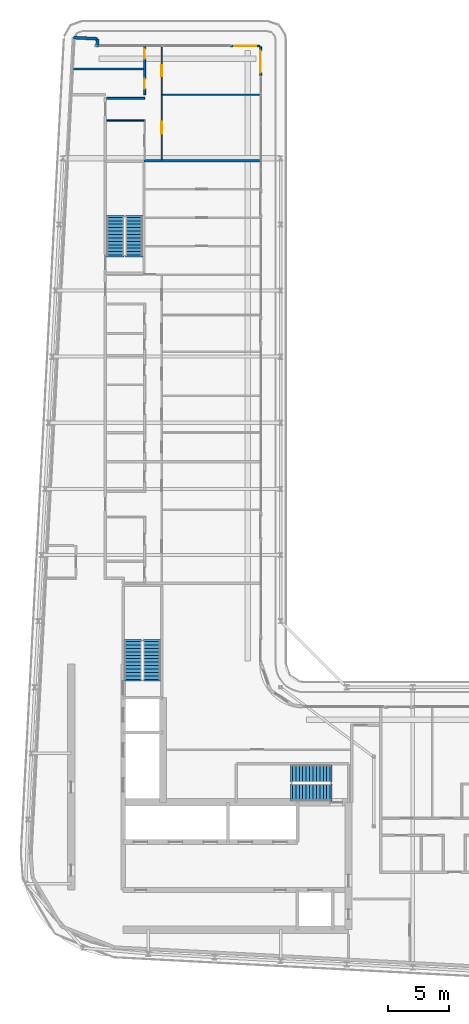
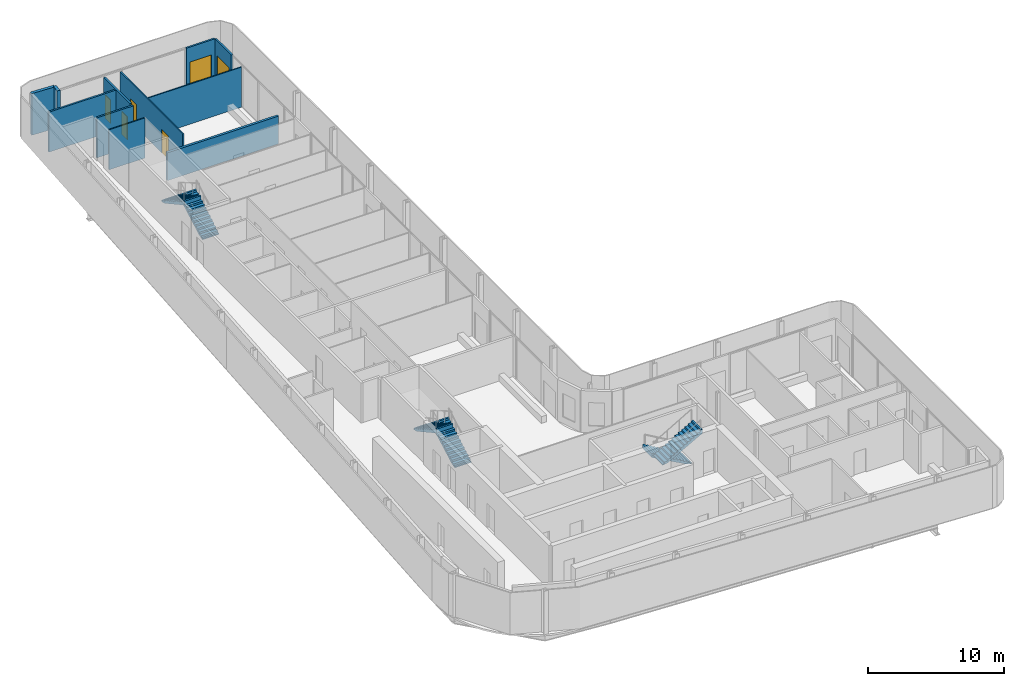
# One storey, part 15 of 21: 11 walls, 6 doors, 6 stair flights, 6 openings, 3 elements without a shape of their own.
"""IFC4 building model written with IfcOpenShell, lengths in metres."""

from ifc_helpers import new_model, si_unit, direction, frame, frame_2d, origin, place, context, subcontext, project, spatial, polyline, rectangle, outline, extrude, source, transform, mapped, material, layer, layer_set, type_object, element, fill, aggregate, save


model = new_model("IFC4")

# Units and contexts
model_context = context("Model", 3, precision=1e-05, world=origin(), true_north=direction((0.0, 1.0)))
body_context = subcontext(model_context, "Body", "Model", "MODEL_VIEW")
ifc_project = project(units=[si_unit("LENGTHUNIT", "METRE"), si_unit("AREAUNIT", "SQUARE_METRE"), si_unit("VOLUMEUNIT", "CUBIC_METRE"), si_unit("PLANEANGLEUNIT", "RADIAN"), si_unit("MASSUNIT", "GRAM", prefix="KILO")], contexts=[model_context])

# Site, building, storey
site_placement = place(None, origin())
site = spatial("IfcSite", under=ifc_project, at=site_placement, CompositionType="ELEMENT")
building_placement = place(site_placement, origin())
building = spatial("IfcBuilding", under=site, at=building_placement, Name="Kheshtan School and Residences Tower", CompositionType="ELEMENT")
storey_placement = place(building_placement, frame((0.0, 0.0, 290.300048828125)))
storey = spatial("IfcBuildingStorey", under=building, at=storey_placement, Name="L68", CompositionType="ELEMENT", Elevation=290.300048828125)

# Walls
ifc_material_1 = material(Name="Concrete C40/50 with ceramic cladding and mineral wool insulation", Category="concrete")
ifc_layer_1 = layer(ifc_material_1, 0.25)
ifc_layer_set_1 = layer_set([ifc_layer_1], Name="External wall 250 ceramic clad")
wall_type_1 = type_object("IfcWallType", Name="External wall 250 ceramic clad", PredefinedType="SOLIDWALL", material=ifc_layer_set_1)
wall_1_placement = place(storey_placement, frame((30.705078125, 98.6640625, 0.0), z_axis=(0.0, 0.0, 1.0), x_axis=(0.998577785791, -0.053314216913, 0.0)))
element("IfcWall", 1, at=wall_1_placement, inside=storey, type_object=wall_type_1, Name="External wall L68 5", PredefinedType="SOLIDWALL", context=body_context, shape_type="SweptSolid", body=[
    extrude(rectangle(XDim=1.95068359375, YDim=0.25, at=frame_2d((0.975341796875, 0.0))), origin(), (0.0, 0.0, 1.0), 3.75),
])
wall_2_placement = place(storey_placement, frame((32.653076171875, 98.56005859375, 0.0), z_axis=(0.0, 0.0, 1.0), x_axis=(-0.054093451632, -0.998535877418, 0.0)))
element("IfcWall", 2, at=wall_2_placement, inside=storey, type_object=wall_type_1, Name="External wall L68 6", PredefinedType="SOLIDWALL", context=body_context, shape_type="SweptSolid", body=[
    extrude(rectangle(XDim=0.66796875, YDim=0.25, at=frame_2d((0.333984375, 0.0))), origin(), (0.0, 0.0, 1.0), 3.75),
])

# Wall, opening, door
ifc_material_2 = material(Name="Aluminium frame wall with insulated infill", Category="aluminium")
ifc_layer_2 = layer(ifc_material_2, 0.14990234375)
ifc_layer_set_2 = layer_set([ifc_layer_2], Name="Glazing frame wall 150")
wall_type_2 = type_object("IfcWallType", Name="Glazing frame wall 150", PredefinedType="SOLIDWALL", material=ifc_layer_set_2)
wall_3_placement = place(storey_placement, frame((43.5, 97.97509765625, 0.0), z_axis=(0.0, 0.0, 1.0), x_axis=(1.0, 0.0, 0.0)))
wall_3 = element("IfcWall", 3, at=wall_3_placement, inside=storey, type_object=wall_type_2, Name="Balcony door wall L68 7.1", PredefinedType="SOLIDWALL", context=body_context, shape_type="SweptSolid", body=[
    extrude(rectangle(XDim=2.39990234375, YDim=0.14990234375, at=frame_2d((1.199951171875, 0.0))), origin(), (0.0, 0.0, 1.0), 3.75),
])
opening_1_placement = place(wall_3_placement, frame((0.300048828125, 0.0, 0.0)))
opening_1 = element("IfcOpeningElement", 4, at=opening_1_placement, cuts=wall_3, Name="Opening BD", PredefinedType="OPENING", context=body_context, shape_type="SweptSolid", body=[
    extrude(rectangle(XDim=1.800048828125, YDim=2.39990234375, at=frame_2d((0.89990234375, 1.199951171875))), frame((0.0, 0.0849609375, 0.0), z_axis=(0.0, -1.0, 0.0), x_axis=(1.0, 0.0, 0.0)), (0.0, 0.0, 1.0), 0.169921875),
])
ifc_material_3 = material(Name="Clear low-e glass in thermally broken aluminium frame", Category="aluminium")
door_type_1 = type_object("IfcDoorType", Name="Balcony sliding door", OperationType="SLIDING_TO_LEFT", PredefinedType="DOOR", material=ifc_material_3)
shared_shape_1 = source(origin(), body_context, "Body", "SweptSolid", [
    extrude(rectangle(XDim=1.800048828125, YDim=2.39990234375, at=frame_2d((0.89990234375, 1.199951171875))), frame((0.0, 0.02490234375, 0.0), z_axis=(0.0, -1.0, 0.0), x_axis=(1.0, 0.0, 0.0)), (0.0, 0.0, 1.0), 0.050048828125),
])
door_1_placement = place(opening_1_placement, origin())
door_1 = element("IfcDoor", 5, at=door_1_placement, inside=storey, type_object=door_type_1, Name="Balcony door L68 7.1", OperationType="SLIDING_TO_LEFT", OverallHeight=2.39990234375, OverallWidth=1.800048828125, PredefinedType="DOOR", context=body_context, shape_type="MappedRepresentation", body=[
    mapped(shared_shape_1, transform((0.0, 0.0, 0.0), x_axis=(1.0, 0.0, 0.0), y_axis=(0.0, 1.0, 0.0), z_axis=(0.0, 0.0, 1.0), scale=1.0)),
])
fill(opening_1, door_1)

wall_4_placement = place(storey_placement, frame((45.97509765625, 97.89990234375, 0.0), z_axis=(0.0, 0.0, 1.0), x_axis=(0.0, -1.0, 0.0)))
wall_4 = element("IfcWall", 6, at=wall_4_placement, inside=storey, type_object=wall_type_2, Name="Balcony door wall L68 8.1", PredefinedType="SOLIDWALL", context=body_context, shape_type="SweptSolid", body=[
    extrude(rectangle(XDim=2.39990234375, YDim=0.14990234375, at=frame_2d((1.199951171875, 0.0))), origin(), (0.0, 0.0, 1.0), 3.75),
])
opening_2_placement = place(wall_4_placement, frame((0.300048828125, 0.0, 0.0)))
opening_2 = element("IfcOpeningElement", 7, at=opening_2_placement, cuts=wall_4, Name="Opening BD", PredefinedType="OPENING", context=body_context, shape_type="SweptSolid", body=[
    extrude(rectangle(XDim=1.800048828125, YDim=2.39990234375, at=frame_2d((0.89990234375, 1.199951171875))), frame((0.0, 0.0849609375, 0.0), z_axis=(0.0, -1.0, 0.0), x_axis=(1.0, 0.0, 0.0)), (0.0, 0.0, 1.0), 0.169921875),
])
door_2_placement = place(opening_2_placement, origin())
door_2 = element("IfcDoor", 8, at=door_2_placement, inside=storey, type_object=door_type_1, Name="Balcony door L68 8.1", OperationType="SLIDING_TO_LEFT", OverallHeight=2.39990234375, OverallWidth=1.800048828125, PredefinedType="DOOR", context=body_context, shape_type="MappedRepresentation", body=[
    mapped(shared_shape_1, transform((0.0, 0.0, 0.0), x_axis=(1.0, 0.0, 0.0), y_axis=(0.0, 1.0, 0.0), z_axis=(0.0, 0.0, 1.0), scale=1.0)),
])
fill(opening_2, door_2)

# Wall
ifc_material_4 = material(Name="Gypsum board on steel studs", Category="steel")
ifc_layer_3 = layer(ifc_material_4, 0.10009765625)
ifc_layer_set_3 = layer_set([ifc_layer_3], Name="Gypsum partition 100")
wall_type_3 = type_object("IfcWallType", Name="Gypsum partition 100", PredefinedType="PARTITIONING", material=ifc_layer_set_3)
wall_5_placement = place(storey_placement, frame((33.39990234375, 91.89990234375, 0.0), z_axis=(0.0, 0.0, 1.0), x_axis=(1.0, 0.0, 0.0)))
element("IfcWall", 9, at=wall_5_placement, inside=storey, type_object=wall_type_3, Name="Partition L68-016", PredefinedType="PARTITIONING", context=body_context, shape_type="SweptSolid", body=[
    extrude(rectangle(XDim=3.050048828125, YDim=0.10009765625, at=frame_2d((1.52490234375, 0.0))), origin(), (0.0, 0.0, 1.0), 3.599853515625),
])

# Wall, openings, doors
wall_6_placement = place(storey_placement, frame((37.89990234375, 88.699951171875, 0.0), z_axis=(0.0, 0.0, 1.0), x_axis=(0.0, 1.0, 0.0)))
wall_6 = element("IfcWall", 10, at=wall_6_placement, inside=storey, type_object=wall_type_3, Name="Partition L68-032", PredefinedType="PARTITIONING", context=body_context, shape_type="SweptSolid", body=[
    extrude(rectangle(XDim=9.199951171875, YDim=0.10009765625, at=frame_2d((4.60009765625, 0.0))), origin(), (0.0, 0.0, 1.0), 3.599853515625),
])
opening_3_placement = place(wall_6_placement, frame((6.800048828125, 0.0, 0.0)))
opening_3 = element("IfcOpeningElement", 11, at=opening_3_placement, cuts=wall_6, Name="Opening D68-032", PredefinedType="OPENING", context=body_context, shape_type="SweptSolid", body=[
    extrude(rectangle(XDim=0.89990234375, YDim=2.10009765625, at=frame_2d((0.449951171875, 1.050048828125))), frame((0.0, 0.06005859375, 0.0), z_axis=(0.0, -1.0, 0.0), x_axis=(1.0, 0.0, 0.0)), (0.0, 0.0, 1.0), 0.1201171875),
])
opening_4_placement = place(wall_6_placement, frame((2.10009765625, 0.0, 0.0)))
opening_4 = element("IfcOpeningElement", 12, at=opening_4_placement, cuts=wall_6, Name="Opening D68-035", PredefinedType="OPENING", context=body_context, shape_type="SweptSolid", body=[
    extrude(rectangle(XDim=1.0, YDim=2.10009765625, at=frame_2d((0.5, 1.050048828125))), frame((0.0, 0.06005859375, 0.0), z_axis=(0.0, -1.0, 0.0), x_axis=(1.0, 0.0, 0.0)), (0.0, 0.0, 1.0), 0.1201171875),
])
ifc_material_5 = material(Name="Veneered timber door leaf", Category="wood")
door_type_2 = type_object("IfcDoorType", Name="Door 1000 x 2100", OperationType="SINGLE_SWING_LEFT", PredefinedType="DOOR", material=ifc_material_5)
shared_shape_2 = source(origin(), body_context, "Body", "SweptSolid", [
    extrude(rectangle(XDim=1.0, YDim=2.10009765625, at=frame_2d((0.5, 1.050048828125))), frame((0.0, 0.02490234375, 0.0), z_axis=(0.0, -1.0, 0.0), x_axis=(1.0, 0.0, 0.0)), (0.0, 0.0, 1.0), 0.050048828125),
])
door_3_placement = place(opening_4_placement, origin())
door_3 = element("IfcDoor", 13, at=door_3_placement, inside=storey, type_object=door_type_2, Name="Door D68-035", OperationType="SINGLE_SWING_LEFT", OverallHeight=2.10009765625, OverallWidth=1.0, PredefinedType="DOOR", context=body_context, shape_type="MappedRepresentation", body=[
    mapped(shared_shape_2, transform((0.0, 0.0, 0.0), x_axis=(1.0, 0.0, 0.0), y_axis=(0.0, 1.0, 0.0), z_axis=(0.0, 0.0, 1.0), scale=1.0)),
])
fill(opening_4, door_3)
door_type_3 = type_object("IfcDoorType", Name="Door 900 x 2100", OperationType="SINGLE_SWING_LEFT", PredefinedType="DOOR", material=ifc_material_5)
shared_shape_3 = source(origin(), body_context, "Body", "SweptSolid", [
    extrude(rectangle(XDim=0.89990234375, YDim=2.10009765625, at=frame_2d((0.449951171875, 1.050048828125))), frame((0.0, 0.02490234375, 0.0), z_axis=(0.0, -1.0, 0.0), x_axis=(1.0, 0.0, 0.0)), (0.0, 0.0, 1.0), 0.050048828125),
])
door_4_placement = place(opening_3_placement, origin())
door_4 = element("IfcDoor", 14, at=door_4_placement, inside=storey, type_object=door_type_3, Name="Door D68-032", OperationType="SINGLE_SWING_RIGHT", OverallHeight=2.10009765625, OverallWidth=0.89990234375, PredefinedType="DOOR", context=body_context, shape_type="MappedRepresentation", body=[
    mapped(shared_shape_3, transform((0.0, 0.0, 0.0), x_axis=(1.0, 0.0, 0.0), y_axis=(0.0, 1.0, 0.0), z_axis=(0.0, 0.0, 1.0), scale=1.0)),
])
fill(opening_3, door_4)

# Walls
wall_7_placement = place(storey_placement, frame((37.949951171875, 94.0, 0.0), z_axis=(0.0, 0.0, 1.0), x_axis=(1.0, 0.0, 0.0)))
element("IfcWall", 15, at=wall_7_placement, inside=storey, type_object=wall_type_3, Name="Partition L68-038", PredefinedType="PARTITIONING", context=body_context, shape_type="SweptSolid", body=[
    extrude(rectangle(XDim=7.949951171875, YDim=0.10009765625, at=frame_2d((3.97509765625, 0.0))), origin(), (0.0, 0.0, 1.0), 3.599853515625),
])
ifc_material_6 = material(Name="Twin gypsum board on steel studs with mineral wool", Category="steel")
ifc_layer_4 = layer(ifc_material_6, 0.199951171875)
ifc_layer_set_4 = layer_set([ifc_layer_4], Name="Unit demising wall 200")
wall_type_4 = type_object("IfcWallType", Name="Unit demising wall 200", PredefinedType="PARTITIONING", material=ifc_layer_set_4)
wall_8_placement = place(storey_placement, frame((36.449951171875, 88.60009765625, 0.0), z_axis=(0.0, 0.0, 1.0), x_axis=(1.0, 0.0, 0.0)))
element("IfcWall", 16, at=wall_8_placement, inside=storey, type_object=wall_type_4, Name="Partition L68-020", PredefinedType="PARTITIONING", context=body_context, shape_type="SweptSolid", body=[
    extrude(rectangle(XDim=9.449951171875, YDim=0.199951171875, at=frame_2d((4.72509765625, 0.0))), origin(), (0.0, 0.0, 1.0), 2.5),
])
ifc_material_7 = material(Name="Moisture-resistant gypsum board on steel studs", Category="steel")
ifc_layer_5 = layer(ifc_material_7, 0.14990234375)
ifc_layer_set_5 = layer_set([ifc_layer_5], Name="Wet-room partition 150")
wall_type_5 = type_object("IfcWallType", Name="Wet-room partition 150", PredefinedType="PARTITIONING", material=ifc_layer_set_5)
wall_9_placement = place(storey_placement, frame((30.695068359375, 96.10009765625, 0.0), z_axis=(0.0, 0.0, 1.0), x_axis=(1.0, 0.0, 0.0)))
element("IfcWall", 17, at=wall_9_placement, inside=storey, type_object=wall_type_5, Name="Partition L68-001", PredefinedType="PARTITIONING", context=body_context, shape_type="SweptSolid", body=[
    extrude(rectangle(XDim=5.72998046875, YDim=0.14990234375, at=frame_2d((2.864990234375, 0.0))), origin(), (0.0, 0.0, 1.0), 3.599853515625),
])
wall_10_placement = place(storey_placement, frame((33.39990234375, 93.699951171875, 0.0), z_axis=(0.0, 0.0, 1.0), x_axis=(1.0, 0.0, 0.0)))
element("IfcWall", 18, at=wall_10_placement, inside=storey, type_object=wall_type_5, Name="Partition L68-017", PredefinedType="PARTITIONING", context=body_context, shape_type="SweptSolid", body=[
    extrude(rectangle(XDim=3.10009765625, YDim=0.14990234375, at=frame_2d((1.550048828125, 0.0))), origin(), (0.0, 0.0, 1.0), 3.599853515625),
])

# Wall, openings, doors
wall_11_placement = place(storey_placement, frame((36.5, 94.0, 0.0), z_axis=(0.0, 0.0, 1.0), x_axis=(0.0, 1.0, 0.0)))
wall_11 = element("IfcWall", 19, at=wall_11_placement, inside=storey, type_object=wall_type_5, Name="Partition L68-026", PredefinedType="PARTITIONING", context=body_context, shape_type="SweptSolid", body=[
    extrude(rectangle(XDim=3.89990234375, YDim=0.14990234375, at=frame_2d((1.949951171875, 0.0))), origin(), (0.0, 0.0, 1.0), 3.599853515625),
])
opening_5_placement = place(wall_11_placement, frame((0.5, 0.0, 0.0)))
opening_5 = element("IfcOpeningElement", 20, at=opening_5_placement, cuts=wall_11, Name="Opening D68-031", PredefinedType="OPENING", context=body_context, shape_type="SweptSolid", body=[
    extrude(rectangle(XDim=0.800048828125, YDim=2.10009765625, at=frame_2d((0.39990234375, 1.050048828125))), frame((0.0, 0.0849609375, 0.0), z_axis=(0.0, -1.0, 0.0), x_axis=(1.0, 0.0, 0.0)), (0.0, 0.0, 1.0), 0.169921875),
])
opening_6_placement = place(wall_11_placement, frame((2.949951171875, 0.0, 0.0)))
opening_6 = element("IfcOpeningElement", 21, at=opening_6_placement, cuts=wall_11, Name="Opening D68-036", PredefinedType="OPENING", context=body_context, shape_type="SweptSolid", body=[
    extrude(rectangle(XDim=0.800048828125, YDim=2.10009765625, at=frame_2d((0.39990234375, 1.050048828125))), frame((0.0, 0.0849609375, 0.0), z_axis=(0.0, -1.0, 0.0), x_axis=(1.0, 0.0, 0.0)), (0.0, 0.0, 1.0), 0.169921875),
])
door_type_4 = type_object("IfcDoorType", Name="Door 800 x 2100", OperationType="SINGLE_SWING_LEFT", PredefinedType="DOOR", material=ifc_material_5)
shared_shape_4 = source(origin(), body_context, "Body", "SweptSolid", [
    extrude(rectangle(XDim=0.800048828125, YDim=2.10009765625, at=frame_2d((0.39990234375, 1.050048828125))), frame((0.0, 0.02490234375, 0.0), z_axis=(0.0, -1.0, 0.0), x_axis=(1.0, 0.0, 0.0)), (0.0, 0.0, 1.0), 0.050048828125),
])
door_5_placement = place(opening_5_placement, origin())
door_5 = element("IfcDoor", 22, at=door_5_placement, inside=storey, type_object=door_type_4, Name="Door D68-031", OperationType="SINGLE_SWING_LEFT", OverallHeight=2.10009765625, OverallWidth=0.800048828125, PredefinedType="DOOR", context=body_context, shape_type="MappedRepresentation", body=[
    mapped(shared_shape_4, transform((0.0, 0.0, 0.0), x_axis=(1.0, 0.0, 0.0), y_axis=(0.0, 1.0, 0.0), z_axis=(0.0, 0.0, 1.0), scale=1.0)),
])
fill(opening_5, door_5)
door_6_placement = place(opening_6_placement, origin())
door_6 = element("IfcDoor", 23, at=door_6_placement, inside=storey, type_object=door_type_4, Name="Door D68-036", OperationType="SINGLE_SWING_LEFT", OverallHeight=2.10009765625, OverallWidth=0.800048828125, PredefinedType="DOOR", context=body_context, shape_type="MappedRepresentation", body=[
    mapped(shared_shape_4, transform((0.0, 0.0, 0.0), x_axis=(1.0, 0.0, 0.0), y_axis=(0.0, 1.0, 0.0), z_axis=(0.0, 0.0, 1.0), scale=1.0)),
])
fill(opening_6, door_6)

# Stair, stair flights
ifc_material_8 = material(Name="Concrete C40/50", Category="concrete")
stair_type = type_object("IfcStairType", Name="Exit stair, half-turn", PredefinedType="HALF_TURN_STAIR", material=ifc_material_8)
stair_1_placement = place(storey_placement, origin())
stair_1 = element("IfcStair", 24, at=stair_1_placement, inside=storey, type_object=stair_type, Name="L68 Protected Exit Stair ST1", PredefinedType="HALF_TURN_STAIR")
ifc_layer_6 = layer(ifc_material_8, 0.14990234375)
ifc_layer_set_6 = layer_set([ifc_layer_6], Name="Stair flight 1400 Concrete C40/50")
stair_flight_type = type_object("IfcStairFlightType", Name="Stair flight 1400 Concrete C40/50", PredefinedType="STRAIGHT", material=ifc_layer_set_6)
stair_flight_1_placement = place(storey_placement, frame((51.64990234375, 38.550048828125, 0.0), z_axis=(0.0, 0.0, 1.0), x_axis=(-1.0, 0.0, 0.0)))
stair_flight_1 = element("IfcStairFlight", 25, at=stair_flight_1_placement, type_object=stair_flight_type, Name="ST1 flight 1", NumberOfRisers=12, NumberOfTreads=11, PredefinedType="STRAIGHT", RiserHeight=0.1625, TreadLength=0.28, context=body_context, shape_type="SweptSolid", body=[
    extrude(outline(polyline([(-0.14990234375, -0.10009765625), (-0.14990234375, 0.0), (0.0, 0.0), (0.0, 0.16259765625), (0.280029296875, 0.16259765625), (0.280029296875, 0.324951171875), (0.56005859375, 0.324951171875), (0.56005859375, 0.487548828125), (0.840087890625, 0.487548828125), (0.840087890625, 0.64990234375), (1.1201171875, 0.64990234375), (1.1201171875, 0.8125), (1.39990234375, 0.8125), (1.39990234375, 0.97509765625), (1.679931640625, 0.97509765625), (1.679931640625, 1.137451171875), (1.9599609375, 1.137451171875), (1.9599609375, 1.300048828125), (2.239990234375, 1.300048828125), (2.239990234375, 1.46240234375), (2.52001953125, 1.46240234375), (2.52001953125, 1.625), (2.800048828125, 1.625), (2.800048828125, 1.78759765625), (3.080078125, 1.78759765625), (3.080078125, 1.949951171875), (3.080078125, 1.969970703125), (3.22998046875, 1.969970703125), (3.22998046875, 1.6142578125), (0.298583984375, 0.0), (-0.14990234375, -0.10009765625)])), frame((0.0, 0.699951171875, 0.0), z_axis=(0.0, -1.0, 0.0), x_axis=(1.0, 0.0, 0.0)), (0.0, 0.0, 1.0), 1.39990234375),
])
stair_flight_2_placement = place(storey_placement, frame((48.570068359375, 37.0, 1.949951171875), z_axis=(0.0, 0.0, 1.0), x_axis=(1.0, 0.0, 0.0)))
stair_flight_2 = element("IfcStairFlight", 26, at=stair_flight_2_placement, type_object=stair_flight_type, Name="ST1 flight 2", NumberOfRisers=12, NumberOfTreads=11, PredefinedType="STRAIGHT", RiserHeight=0.1625, TreadLength=0.28, context=body_context, shape_type="SweptSolid", body=[
    extrude(outline(polyline([(-0.14990234375, -0.10009765625), (-0.14990234375, 0.0), (0.0, 0.0), (0.0, 0.16259765625), (0.280029296875, 0.16259765625), (0.280029296875, 0.324951171875), (0.56005859375, 0.324951171875), (0.56005859375, 0.487548828125), (0.840087890625, 0.487548828125), (0.840087890625, 0.64990234375), (1.1201171875, 0.64990234375), (1.1201171875, 0.8125), (1.39990234375, 0.8125), (1.39990234375, 0.97509765625), (1.679931640625, 0.97509765625), (1.679931640625, 1.137451171875), (1.9599609375, 1.137451171875), (1.9599609375, 1.300048828125), (2.239990234375, 1.300048828125), (2.239990234375, 1.46240234375), (2.52001953125, 1.46240234375), (2.52001953125, 1.625), (2.800048828125, 1.625), (2.800048828125, 1.78759765625), (3.080078125, 1.78759765625), (3.080078125, 1.949951171875), (3.080078125, 1.969970703125), (3.22998046875, 1.969970703125), (3.22998046875, 1.6142578125), (0.298583984375, 0.0), (-0.14990234375, -0.10009765625)])), frame((0.0, 0.699951171875, 0.0), z_axis=(0.0, -1.0, 0.0), x_axis=(1.0, 0.0, 0.0)), (0.0, 0.0, 1.0), 1.39990234375),
])
aggregate(stair_1, [stair_flight_1, stair_flight_2])

stair_2_placement = place(storey_placement, origin())
stair_2 = element("IfcStair", 27, at=stair_2_placement, inside=storey, type_object=stair_type, Name="L68 Protected Exit Stair ST2", PredefinedType="HALF_TURN_STAIR")
stair_flight_3_placement = place(storey_placement, frame((37.10009765625, 46.25, 0.0), z_axis=(0.0, 0.0, 1.0), x_axis=(0.0, 1.0, 0.0)))
stair_flight_3 = element("IfcStairFlight", 28, at=stair_flight_3_placement, type_object=stair_flight_type, Name="ST2 flight 1", NumberOfRisers=12, NumberOfTreads=11, PredefinedType="STRAIGHT", RiserHeight=0.1625, TreadLength=0.28, context=body_context, shape_type="SweptSolid", body=[
    extrude(outline(polyline([(-0.14990234375, -0.10009765625), (-0.14990234375, 0.0), (0.0, 0.0), (0.0, 0.16259765625), (0.280029296875, 0.16259765625), (0.280029296875, 0.324951171875), (0.56005859375, 0.324951171875), (0.56005859375, 0.487548828125), (0.840087890625, 0.487548828125), (0.840087890625, 0.64990234375), (1.1201171875, 0.64990234375), (1.1201171875, 0.8125), (1.39990234375, 0.8125), (1.39990234375, 0.97509765625), (1.679931640625, 0.97509765625), (1.679931640625, 1.137451171875), (1.9599609375, 1.137451171875), (1.9599609375, 1.300048828125), (2.239990234375, 1.300048828125), (2.239990234375, 1.46240234375), (2.52001953125, 1.46240234375), (2.52001953125, 1.625), (2.800048828125, 1.625), (2.800048828125, 1.78759765625), (3.080078125, 1.78759765625), (3.080078125, 1.949951171875), (3.080078125, 1.969970703125), (3.22998046875, 1.969970703125), (3.22998046875, 1.6142578125), (0.298583984375, 0.0), (-0.14990234375, -0.10009765625)])), frame((0.0, 0.699951171875, 0.0), z_axis=(0.0, -1.0, 0.0), x_axis=(1.0, 0.0, 0.0)), (0.0, 0.0, 1.0), 1.39990234375),
])
stair_flight_4_placement = place(storey_placement, frame((35.550048828125, 49.330078125, 1.949951171875), z_axis=(0.0, 0.0, 1.0), x_axis=(0.0, -1.0, 0.0)))
stair_flight_4 = element("IfcStairFlight", 29, at=stair_flight_4_placement, type_object=stair_flight_type, Name="ST2 flight 2", NumberOfRisers=12, NumberOfTreads=11, PredefinedType="STRAIGHT", RiserHeight=0.1625, TreadLength=0.28, context=body_context, shape_type="SweptSolid", body=[
    extrude(outline(polyline([(-0.14990234375, -0.10009765625), (-0.14990234375, 0.0), (0.0, 0.0), (0.0, 0.16259765625), (0.280029296875, 0.16259765625), (0.280029296875, 0.324951171875), (0.56005859375, 0.324951171875), (0.56005859375, 0.487548828125), (0.840087890625, 0.487548828125), (0.840087890625, 0.64990234375), (1.1201171875, 0.64990234375), (1.1201171875, 0.8125), (1.39990234375, 0.8125), (1.39990234375, 0.97509765625), (1.679931640625, 0.97509765625), (1.679931640625, 1.137451171875), (1.9599609375, 1.137451171875), (1.9599609375, 1.300048828125), (2.239990234375, 1.300048828125), (2.239990234375, 1.46240234375), (2.52001953125, 1.46240234375), (2.52001953125, 1.625), (2.800048828125, 1.625), (2.800048828125, 1.78759765625), (3.080078125, 1.78759765625), (3.080078125, 1.949951171875), (3.080078125, 1.969970703125), (3.22998046875, 1.969970703125), (3.22998046875, 1.6142578125), (0.298583984375, 0.0), (-0.14990234375, -0.10009765625)])), frame((0.0, 0.699951171875, 0.0), z_axis=(0.0, -1.0, 0.0), x_axis=(1.0, 0.0, 0.0)), (0.0, 0.0, 1.0), 1.39990234375),
])
aggregate(stair_2, [stair_flight_3, stair_flight_4])

stair_3_placement = place(storey_placement, origin())
stair_3 = element("IfcStair", 30, at=stair_3_placement, inside=storey, type_object=stair_type, Name="L68 Protected Exit Stair ST3", PredefinedType="HALF_TURN_STAIR")
stair_flight_5_placement = place(storey_placement, frame((35.64990234375, 80.89990234375, 0.0), z_axis=(0.0, 0.0, 1.0), x_axis=(0.0, 1.0, 0.0)))
stair_flight_5 = element("IfcStairFlight", 31, at=stair_flight_5_placement, type_object=stair_flight_type, Name="ST3 flight 1", NumberOfRisers=12, NumberOfTreads=11, PredefinedType="STRAIGHT", RiserHeight=0.1625, TreadLength=0.28, context=body_context, shape_type="SweptSolid", body=[
    extrude(outline(polyline([(-0.14990234375, -0.10009765625), (-0.14990234375, 0.0), (0.0, 0.0), (0.0, 0.16259765625), (0.280029296875, 0.16259765625), (0.280029296875, 0.324951171875), (0.56005859375, 0.324951171875), (0.56005859375, 0.487548828125), (0.840087890625, 0.487548828125), (0.840087890625, 0.64990234375), (1.1201171875, 0.64990234375), (1.1201171875, 0.8125), (1.39990234375, 0.8125), (1.39990234375, 0.97509765625), (1.679931640625, 0.97509765625), (1.679931640625, 1.137451171875), (1.9599609375, 1.137451171875), (1.9599609375, 1.300048828125), (2.239990234375, 1.300048828125), (2.239990234375, 1.46240234375), (2.52001953125, 1.46240234375), (2.52001953125, 1.625), (2.800048828125, 1.625), (2.800048828125, 1.78759765625), (3.080078125, 1.78759765625), (3.080078125, 1.949951171875), (3.080078125, 1.969970703125), (3.22998046875, 1.969970703125), (3.22998046875, 1.6142578125), (0.298583984375, 0.0), (-0.14990234375, -0.10009765625)])), frame((0.0, 0.699951171875, 0.0), z_axis=(0.0, -1.0, 0.0), x_axis=(1.0, 0.0, 0.0)), (0.0, 0.0, 1.0), 1.39990234375),
])
stair_flight_6_placement = place(storey_placement, frame((34.10009765625, 83.97998046875, 1.949951171875), z_axis=(0.0, 0.0, 1.0), x_axis=(0.0, -1.0, 0.0)))
stair_flight_6 = element("IfcStairFlight", 32, at=stair_flight_6_placement, type_object=stair_flight_type, Name="ST3 flight 2", NumberOfRisers=12, NumberOfTreads=11, PredefinedType="STRAIGHT", RiserHeight=0.1625, TreadLength=0.28, context=body_context, shape_type="SweptSolid", body=[
    extrude(outline(polyline([(-0.14990234375, -0.10009765625), (-0.14990234375, 0.0), (0.0, 0.0), (0.0, 0.16259765625), (0.280029296875, 0.16259765625), (0.280029296875, 0.324951171875), (0.56005859375, 0.324951171875), (0.56005859375, 0.487548828125), (0.840087890625, 0.487548828125), (0.840087890625, 0.64990234375), (1.1201171875, 0.64990234375), (1.1201171875, 0.8125), (1.39990234375, 0.8125), (1.39990234375, 0.97509765625), (1.679931640625, 0.97509765625), (1.679931640625, 1.137451171875), (1.9599609375, 1.137451171875), (1.9599609375, 1.300048828125), (2.239990234375, 1.300048828125), (2.239990234375, 1.46240234375), (2.52001953125, 1.46240234375), (2.52001953125, 1.625), (2.800048828125, 1.625), (2.800048828125, 1.78759765625), (3.080078125, 1.78759765625), (3.080078125, 1.949951171875), (3.080078125, 1.969970703125), (3.22998046875, 1.969970703125), (3.22998046875, 1.6142578125), (0.298583984375, 0.0), (-0.14990234375, -0.10009765625)])), frame((0.0, 0.699951171875, 0.0), z_axis=(0.0, -1.0, 0.0), x_axis=(1.0, 0.0, 0.0)), (0.0, 0.0, 1.0), 1.39990234375),
])
aggregate(stair_3, [stair_flight_5, stair_flight_6])

save(model, "model.ifc")
